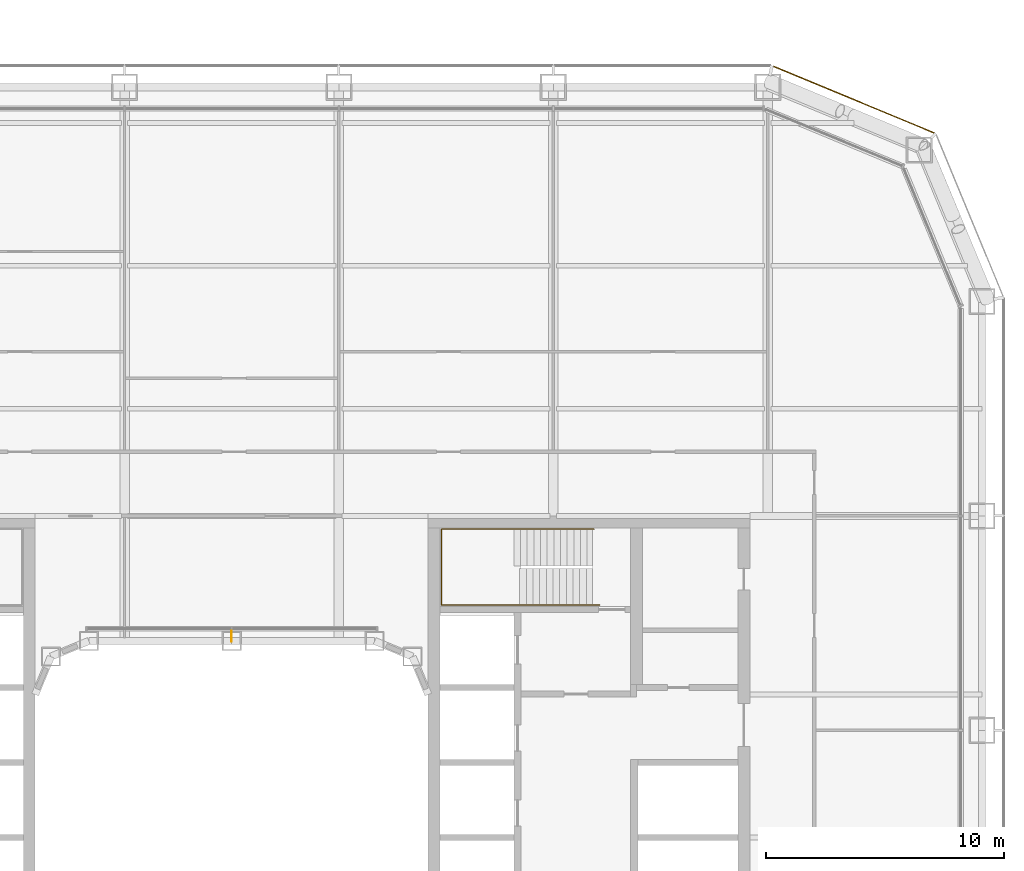
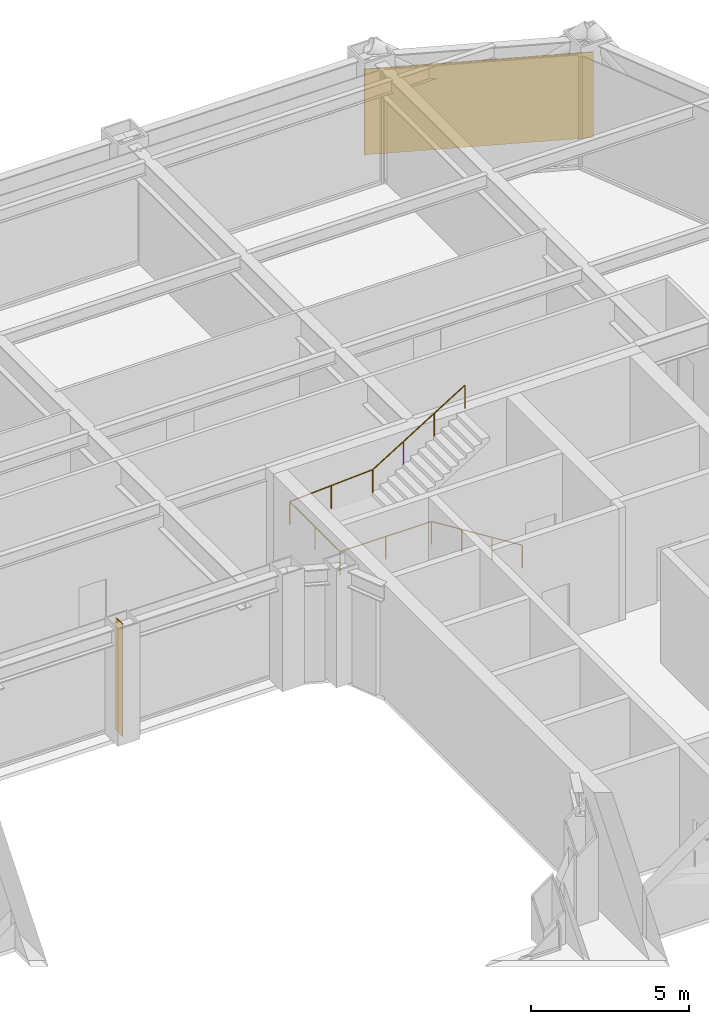
# One storey, part 26 of 28: 1 covering, 1 railing, 1 shading device.
"""IFC4 building model written with IfcOpenShell, lengths in metres."""

import ifcopenshell
import ifcopenshell.guid

model = None  # the IFC model being written
_history = None  # IfcOwnerHistory: only IFC2X3 demands one
_inside = {}  # id of a spatial element -> (the spatial element, [elements in it])
_under = {}  # id of a project, library or spatial element -> (it, [spatial elements below it])
_declared = {}  # id of a project -> (the project, [libraries it declares])
_typed = {}  # id of a type object -> (the type object, [elements of that type])
_made_of = {}  # id of a material, layer set ... -> (it, [elements and type objects made of it])


def new_model(schema):
    """Start an empty IFC model of exactly this schema.

    Asked for "IFC4X3", IfcOpenShell would pick the latest addendum, in which some entities
    have other attributes; the version numbers below select the first issue.
    IFC2X3 requires an IfcOwnerHistory on every rooted entity: one is made here for all.
    """
    global model, _history
    if schema == "IFC4X3":
        model = ifcopenshell.file(schema_version=(4, 3, 0, 0))
    else:
        model = ifcopenshell.file(schema=schema)
    _inside.clear()
    _under.clear()
    _declared.clear()
    _typed.clear()
    _made_of.clear()
    _history = None
    if model.schema == "IFC2X3":
        org = make("IfcOrganization", Name="unknown")
        user = make(
            "IfcPersonAndOrganization",
            ThePerson=make("IfcPerson", FamilyName="unknown"),
            TheOrganization=org,
        )
        app = make(
            "IfcApplication",
            ApplicationDeveloper=org,
            Version="unknown",
            ApplicationFullName="unknown",
            ApplicationIdentifier="unknown",
        )
        _history = make(
            "IfcOwnerHistory",
            OwningUser=user,
            OwningApplication=app,
            ChangeAction="ADDED",
            CreationDate=0,
        )
    return model


def make(cls, **values):
    """One entity of the class cls with the attributes given. An attribute that is None is left unset."""
    return model.create_entity(
        cls, **{name: value for name, value in values.items() if value is not None}
    )


def rooted(cls, **values):
    """An entity with a GlobalId (a new one), such as an element, a storey or a relation."""
    return make(cls, GlobalId=ifcopenshell.guid.new(), OwnerHistory=_history, **values)


def si_unit(unit_type, name, prefix=None):
    """IfcSIUnit, for example si_unit("LENGTHUNIT", "METRE", prefix="MILLI")."""
    return make("IfcSIUnit", UnitType=unit_type, Prefix=prefix, Name=name)


def assignment(units):
    """IfcUnitAssignment: the units of a project."""
    return None if units is None else make("IfcUnitAssignment", Units=units)


def point(xyz):
    """IfcCartesianPoint."""
    return None if xyz is None else make("IfcCartesianPoint", Coordinates=xyz)


def direction(xyz):
    """IfcDirection."""
    return None if xyz is None else make("IfcDirection", DirectionRatios=xyz)


def frame(location, z_axis=None, x_axis=None):
    """IfcAxis2Placement3D, a coordinate frame: its origin and axes. An axis left out is left unset."""
    return make(
        "IfcAxis2Placement3D",
        Location=point(location),
        Axis=direction(z_axis),
        RefDirection=direction(x_axis),
    )


def frame_2d(location, x_axis=None):
    """IfcAxis2Placement2D, a coordinate frame in the plane: its origin and x axis."""
    return make(
        "IfcAxis2Placement2D", Location=point(location), RefDirection=direction(x_axis)
    )


def origin():
    """The frame at (0, 0, 0) with its axes left unset."""
    return frame((0.0, 0.0, 0.0))


def origin_2d():
    """The frame at (0, 0) in the plane with its x axis left unset."""
    return frame_2d((0.0, 0.0))


def place(relative_to, where):
    """IfcLocalPlacement: puts the frame where relative to a parent placement (None: the world)."""
    return make(
        "IfcLocalPlacement", PlacementRelTo=relative_to, RelativePlacement=where
    )


def context(
    kind, dimensions, precision=None, world=None, true_north=None, identifier=None
):
    """IfcGeometricRepresentationContext, for example the 3D "Model" context."""
    return make(
        "IfcGeometricRepresentationContext",
        ContextIdentifier=identifier,
        ContextType=kind,
        CoordinateSpaceDimension=dimensions,
        Precision=precision,
        WorldCoordinateSystem=world,
        TrueNorth=true_north,
    )


def subcontext(parent, identifier, kind, view, scale=None):
    """IfcGeometricRepresentationSubContext, for example "Body" below "Model"."""
    return make(
        "IfcGeometricRepresentationSubContext",
        ContextIdentifier=identifier,
        ContextType=kind,
        ParentContext=parent,
        TargetScale=scale,
        TargetView=view,
    )


def project(units=None, contexts=None):
    """IfcProject with its units and contexts."""
    return rooted(
        "IfcProject",
        Name="project",
        RepresentationContexts=contexts,
        UnitsInContext=assignment(units),
    )


def spatial(cls, under=None, at=None, **own):
    """A site, building, storey or space (cls), placed at a placement, below another one or the project."""
    s = rooted(cls, ObjectPlacement=at, **own)
    if under is not None:
        _under.setdefault(under.id(), (under, []))[1].append(s)
    return s


def profile(cls, at=None, kind="AREA", **sizes):
    """A parametric profile (cls). Its sizes go by their IFC names, for example OverallWidth=200.0."""
    return make(cls, ProfileType=kind, Position=at, **sizes)


def rectangle(**sizes):
    """IfcRectangleProfileDef."""
    return profile("IfcRectangleProfileDef", **sizes)


def circle(**sizes):
    """IfcCircleProfileDef."""
    return profile("IfcCircleProfileDef", **sizes)


def extrude(swept, where, along, depth):
    """IfcExtrudedAreaSolid: the profile swept, set in the frame where, extruded along a direction by depth."""
    return make(
        "IfcExtrudedAreaSolid",
        SweptArea=swept,
        Position=where,
        ExtrudedDirection=direction(along),
        Depth=depth,
    )


def shape(context_of_items, identifier, shape_type, items):
    """IfcShapeRepresentation: the items that make up one representation, for example the "Body"."""
    return make(
        "IfcShapeRepresentation",
        ContextOfItems=context_of_items,
        RepresentationIdentifier=identifier,
        RepresentationType=shape_type,
        Items=items,
    )


def material(Name=None, Category=None):
    """IfcMaterial."""
    return make("IfcMaterial", Name=Name, Category=Category)


def layer(
    of_material, thickness, ventilated=None, Name=None, Category=None, Priority=None
):
    """IfcMaterialLayer: one layer of a wall or slab, of a material (None: an air gap)."""
    return make(
        "IfcMaterialLayer",
        Material=of_material,
        LayerThickness=thickness,
        IsVentilated=ventilated,
        Name=Name,
        Category=Category,
        Priority=Priority,
    )


def layer_set(layers, Name=None):
    """IfcMaterialLayerSet."""
    return make("IfcMaterialLayerSet", MaterialLayers=layers, LayerSetName=Name)


def made_of(thing, what):
    """Note that an element or type object is made of a material, layer set ...; save() writes the relation."""
    if what is not None:
        _made_of.setdefault(what.id(), (what, []))[1].append(thing)
    return thing


def type_object(cls, material=None, **own):
    """A type object (cls), such as IfcWallType, which elements share."""
    return made_of(rooted(cls, **own), material)


def element(
    cls,
    number,
    at=None,
    inside=None,
    cuts=None,
    type_object=None,
    material=None,
    context=None,
    identifier="Body",
    shape_type=None,
    held_by="IfcProductDefinitionShape",
    body=None,
    shapes=None,
    **own,
):
    """One element of the class cls, such as IfcWall. Its Tag is "e" and its number.

    at: its placement. inside: the storey or other place that contains it. cuts: it is an
    opening in that element (IfcRelVoidsElement). A single representation is given by context,
    identifier, shape_type and body (its items); several are given by shapes. held_by: the class
    of the entity that holds the representations. save() writes the other relations.
    """
    e = rooted(cls, Tag="e%d" % number, ObjectPlacement=at, **own)
    if body is not None:
        shapes = [shape(context, identifier, shape_type, body)]
    if shapes is not None:
        e.Representation = make(held_by, Representations=shapes)
    if inside is not None:
        _inside.setdefault(inside.id(), (inside, []))[1].append(e)
    if cuts is not None:
        rooted(
            "IfcRelVoidsElement", RelatingBuildingElement=cuts, RelatedOpeningElement=e
        )
    if type_object is not None:
        _typed.setdefault(type_object.id(), (type_object, []))[1].append(e)
    return made_of(e, material)


def aggregate(whole, parts):
    """IfcRelAggregates: a whole, such as a stair, and the parts it consists of."""
    return rooted("IfcRelAggregates", RelatingObject=whole, RelatedObjects=parts)


def save(model, path):
    """Write the relations noted so far, then the file.

    IfcRelAggregates (storeys below a building ...), IfcRelContainedInSpatialStructure (elements
    in a storey), IfcRelDefinesByType, IfcRelAssociatesMaterial and IfcRelDeclares: one each for
    every whole, place, type object, material and project.
    """
    for whole, parts in _under.values():
        aggregate(whole, parts)
    for where, things in _inside.values():
        rooted(
            "IfcRelContainedInSpatialStructure",
            RelatedElements=things,
            RelatingStructure=where,
        )
    for kind, things in _typed.values():
        rooted("IfcRelDefinesByType", RelatedObjects=things, RelatingType=kind)
    for what, things in _made_of.values():
        rooted("IfcRelAssociatesMaterial", RelatedObjects=things, RelatingMaterial=what)
    for by, libraries in _declared.values():
        rooted("IfcRelDeclares", RelatingContext=by, RelatedDefinitions=libraries)
    model.write(path)


model = new_model("IFC4")

# Units and contexts
model_context = context("Model", 3, precision=1e-05, world=origin(), true_north=direction((0.0, 1.0)))
body_context = subcontext(model_context, "Body", "Model", "MODEL_VIEW")
ifc_project = project(units=[si_unit("LENGTHUNIT", "METRE"), si_unit("AREAUNIT", "SQUARE_METRE"), si_unit("VOLUMEUNIT", "CUBIC_METRE"), si_unit("PLANEANGLEUNIT", "RADIAN"), si_unit("MASSUNIT", "GRAM", prefix="KILO")], contexts=[model_context])

# Site, building, storey
site_placement = place(None, origin())
site = spatial("IfcSite", under=ifc_project, at=site_placement, CompositionType="ELEMENT")
building_placement = place(site_placement, origin())
building = spatial("IfcBuilding", under=site, at=building_placement, Name="Siwar Civic Tower", CompositionType="ELEMENT")
storey_placement = place(building_placement, frame((0.0, 0.0, 31.199951171875)))
storey = spatial("IfcBuildingStorey", under=building, at=storey_placement, Name="L06", CompositionType="ELEMENT", Elevation=31.199951171875)

# Railing
ifc_material_1 = material(Name="Stainless steel", Category="steel")
railing_type = type_object("IfcRailingType", Name="CORE-STAIR-HANDRAIL", PredefinedType="HANDRAIL", material=ifc_material_1)
railing_placement = place(storey_placement, frame((15.449951171875, 9.758056640625, 0.173095703125)))
element("IfcRailing", 1, at=railing_placement, inside=storey, type_object=railing_type, Name="Stair handrail ST3", PredefinedType="HANDRAIL", context=body_context, shape_type="SweptSolid", body=[
    extrude(circle(Radius=0.02001953125, at=origin_2d()), frame((0.0, 0.0, 0.8798828125), z_axis=(-0.847063342986, 0.0, 0.531491950051), x_axis=(0.0, -1.0, 0.0)), (0.0, 0.0, 1.0), 3.90771484375),
    extrude(circle(Radius=0.02001953125, at=origin_2d()), frame((-3.31005859375, 0.0, 2.956787109375), z_axis=(-1.0, 0.0, 0.0), x_axis=(0.0, -1.0, 0.0)), (0.0, 0.0, 1.0), 3.331787109375),
    extrude(circle(Radius=0.02001953125, at=origin_2d()), frame((-6.641845703125, 0.0, 2.956787109375), z_axis=(0.0, 1.0, 0.0), x_axis=(-1.0, 0.0, 0.0)), (0.0, 0.0, 1.0), 3.183837890625),
    extrude(circle(Radius=0.02001953125, at=origin_2d()), frame((-6.641845703125, 3.183837890625, 2.956787109375), z_axis=(0.99837434197, 0.0, 0.056997134106), x_axis=(0.0, 1.0, 0.0)), (0.0, 0.0, 1.0), 3.036865234375),
    extrude(circle(Radius=0.02001953125, at=origin_2d()), frame((-3.60986328125, 3.183837890625, 3.1298828125), z_axis=(0.850606129759, 0.0, 0.525803396734), x_axis=(0.0, 1.0, 0.0)), (0.0, 0.0, 1.0), 3.949951171875),
    extrude(circle(Radius=0.02001953125, at=origin_2d()), origin(), (0.0, 0.0, 1.0), 0.85986328125),
    extrude(circle(Radius=0.02001953125, at=origin_2d()), frame((-1.103271484375, 0.0, 0.6923828125)), (0.0, 0.0, 1.0), 0.85986328125),
    extrude(circle(Radius=0.02001953125, at=origin_2d()), frame((-2.206787109375, 0.0, 1.384521484375)), (0.0, 0.0, 1.0), 0.85986328125),
    extrude(circle(Radius=0.02001953125, at=origin_2d()), frame((-3.31005859375, 0.0, 2.076904296875)), (0.0, 0.0, 1.0), 0.85986328125),
    extrude(circle(Radius=0.02001953125, at=origin_2d()), frame((-4.97607421875, 0.0, 2.076904296875)), (0.0, 0.0, 1.0), 0.85986328125),
    extrude(circle(Radius=0.02001953125, at=origin_2d()), frame((-6.641845703125, 0.0, 2.076904296875)), (0.0, 0.0, 1.0), 0.85986328125),
    extrude(circle(Radius=0.02001953125, at=origin_2d()), frame((-6.641845703125, 1.591796875, 2.076904296875)), (0.0, 0.0, 1.0), 0.85986328125),
    extrude(circle(Radius=0.02001953125, at=origin_2d()), frame((-6.641845703125, 3.183837890625, 2.076904296875)), (0.0, 0.0, 1.0), 0.85986328125),
    extrude(circle(Radius=0.02001953125, at=origin_2d()), frame((-5.1259765625, 3.183837890625, 2.16357421875)), (0.0, 0.0, 1.0), 0.85986328125),
    extrude(circle(Radius=0.02001953125, at=origin_2d()), frame((-3.60986328125, 3.183837890625, 2.25)), (0.0, 0.0, 1.0), 0.85986328125),
    extrude(circle(Radius=0.02001953125, at=origin_2d()), frame((-2.489990234375, 3.183837890625, 2.9423828125)), (0.0, 0.0, 1.0), 0.85986328125),
    extrude(circle(Radius=0.02001953125, at=origin_2d()), frame((-1.369873046875, 3.183837890625, 3.634521484375)), (0.0, 0.0, 1.0), 0.85986328125),
    extrude(circle(Radius=0.02001953125, at=origin_2d()), frame((-0.25, 3.183837890625, 4.326904296875)), (0.0, 0.0, 1.0), 0.85986328125),
])

# Shading device
ifc_material_2 = material(Name="Aluminium 6063-T6", Category="aluminium")
ifc_layer_1 = layer(ifc_material_2, 0.02001953125)
ifc_layer_set_1 = layer_set([ifc_layer_1], Name="Aluminium 6063-T6")
shading_device_type = type_object("IfcShadingDeviceType", Name="ENV-FIN", PredefinedType="JALOUSIE", material=ifc_layer_set_1)
shading_device_placement = place(storey_placement, frame((0.0, 8.445068359375, 0.0), z_axis=(0.0, 0.0, 1.0), x_axis=(-1.0, 0.0, 0.0)))
element("IfcShadingDevice", 2, at=shading_device_placement, inside=storey, type_object=shading_device_type, Name="SUNSHADE fin WN 1", PredefinedType="JALOUSIE", context=body_context, shape_type="SweptSolid", body=[
    extrude(rectangle(XDim=0.02001953125, YDim=0.449951171875, at=origin_2d()), origin(), (0.0, 0.0, 1.0), 4.35009765625),
])

# Covering
ifc_material_3 = material(Name="Perforated aluminium cassette, pale metal", Category="aluminium")
ifc_layer_2 = layer(ifc_material_3, 0.0400390625)
ifc_layer_set_2 = layer_set([ifc_layer_2], Name="Perforated aluminium cassette, pale metal")
covering_type = type_object("IfcCoveringType", Name="ENV-OUTER SKIN OS-1", PredefinedType="CLADDING", material=ifc_layer_set_2)
covering_placement = place(storey_placement, frame((26.115966796875, 30.976318359375, -0.14990234375), z_axis=(0.0, 0.0, 1.0), x_axis=(-0.923879532511, 0.382683432365, 0.0)))
element("IfcCovering", 3, at=covering_placement, inside=storey, type_object=covering_type, Name="OUTER SKIN OS-1 NE2 1", PredefinedType="CLADDING", context=body_context, shape_type="SweptSolid", body=[
    extrude(rectangle(XDim=7.300048828125, YDim=0.0400390625, at=origin_2d()), origin(), (0.0, 0.0, 1.0), 3.300048828125),
])

save(model, "model.ifc")
